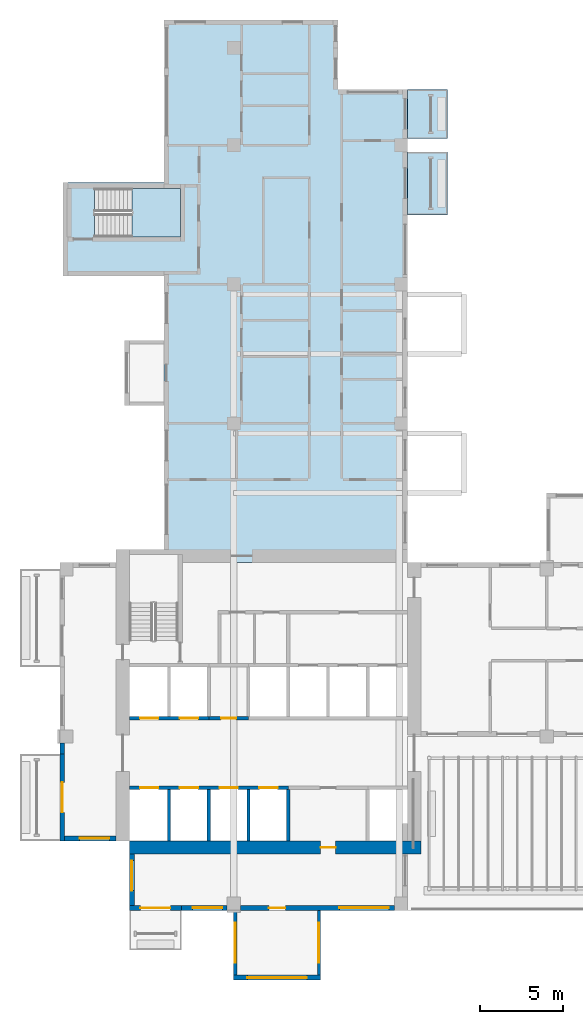
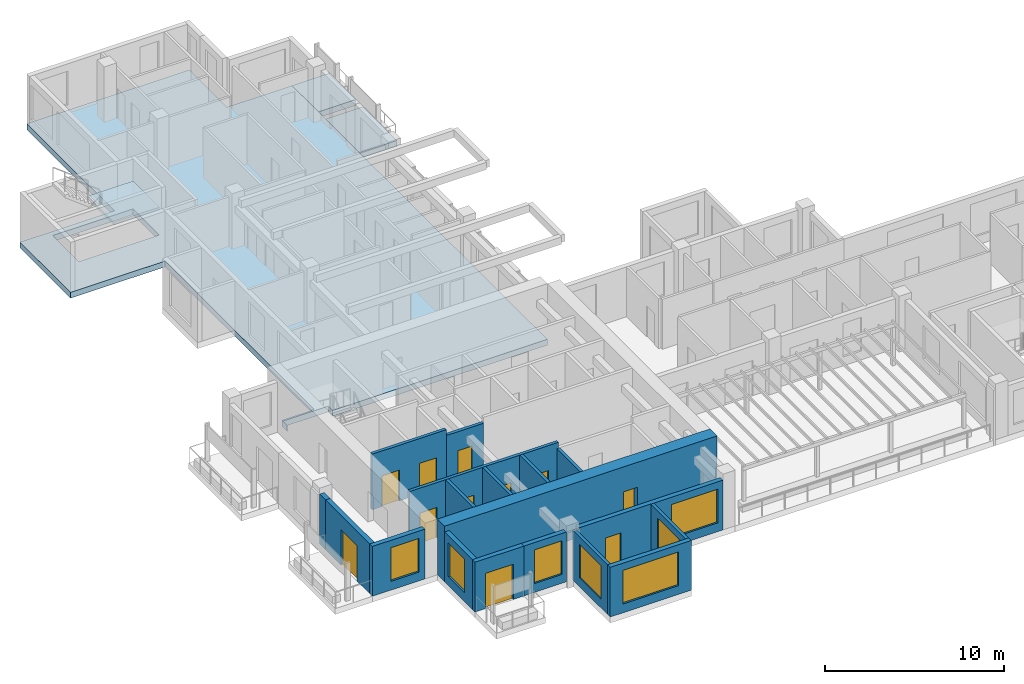
# One storey, part 3 of 13: 18 walls, 11 doors, 7 windows, 4 slabs, 18 openings, 1 element without a shape of its own.
"""IFC4 building model written with IfcOpenShell, lengths in metres."""

from ifc_helpers import new_model, si_unit, direction, frame, frame_2d, origin, place, context, subcontext, project, spatial, polyline, rectangle, outline, extrude, source, transform, mapped, material, layer, layer_set, type_object, element, fill, aggregate, save


model = new_model("IFC4")

# Units and contexts
model_context = context("Model", 3, precision=1e-05, world=origin(), true_north=direction((0.0, 1.0)))
body_context = subcontext(model_context, "Body", "Model", "MODEL_VIEW")
ifc_project = project(units=[si_unit("LENGTHUNIT", "METRE"), si_unit("AREAUNIT", "SQUARE_METRE"), si_unit("VOLUMEUNIT", "CUBIC_METRE"), si_unit("PLANEANGLEUNIT", "RADIAN"), si_unit("MASSUNIT", "GRAM", prefix="KILO")], contexts=[model_context])

# Site, building, storey
site_placement = place(None, origin())
site = spatial("IfcSite", under=ifc_project, at=site_placement, CompositionType="ELEMENT")
building_placement = place(site_placement, origin())
building = spatial("IfcBuilding", under=site, at=building_placement, Name="Aurelian Terraces", CompositionType="ELEMENT")
storey_placement = place(building_placement, frame((0.0, 0.0, 253.8)))
storey = spatial("IfcBuildingStorey", under=building, at=storey_placement, Name="L58", CompositionType="ELEMENT", Elevation=253.8)

# Slabs
ifc_material_1 = material(Name="Concrete fc' 40 MPa", Category="concrete")
ifc_layer_1 = layer(ifc_material_1, 0.4)
ifc_layer_set_1 = layer_set([ifc_layer_1], Name="PT FLAT PLATE 400")
slab_type_1 = type_object("IfcSlabType", Name="PT FLAT PLATE 400", PredefinedType="FLOOR", material=ifc_layer_set_1)
shared_shape_1 = source(origin(), body_context, "Body", "SweptSolid", [
    extrude(outline(polyline([(0.2, 43.95), (6.3, 43.95), (6.3, 49.56), (6.3, 53.76), (10.5, 53.76), (16.8, 53.76), (16.8, 49.56), (21.0, 49.56), (21.0, 21.0), (7.14, 21.0), (7.14, 21.49), (4.21, 21.49), (4.21, 21.0), (4.2, 21.0), (4.2, 21.6), (6.3, 21.6), (6.3, 38.3), (0.2, 38.3), (0.2, 43.95)]), holes=[polyline([(7.29, 43.59), (2.11, 43.59), (2.11, 40.66), (7.29, 40.66), (7.29, 43.59)])]), origin(), (0.0, 0.0, 1.0), 0.4),
])
slab_1_placement = place(storey_placement, frame((0.0, 0.0, -0.4)))
element("IfcSlab", 1, at=slab_1_placement, inside=storey, type_object=slab_type_1, Name="Floor slab W L58", PredefinedType="FLOOR", context=body_context, shape_type="MappedRepresentation", body=[
    mapped(shared_shape_1, transform((0.0, 0.0, 0.0), scale=1.0)),
])
ifc_layer_2 = layer(ifc_material_1, 0.4)
ifc_layer_set_2 = layer_set([ifc_layer_2], Name="Balcony slab 400")
slab_type_2 = type_object("IfcSlabType", Name="Balcony slab 400", PredefinedType="NOTDEFINED", material=ifc_layer_set_2)
shared_shape_2 = source(origin(), body_context, "Body", "SweptSolid", [
    extrude(outline(polyline([(21.0, 46.6), (21.0, 49.56), (23.4, 49.56), (23.4, 46.6), (21.0, 46.6)])), origin(), (0.0, 0.0, 1.0), 0.4),
])
slab_2_placement = place(storey_placement, frame((0.0, 0.0, -0.4)))
element("IfcSlab", 2, at=slab_2_placement, inside=storey, type_object=slab_type_2, Name="Balcony slab L58 F12.25", PredefinedType="NOTDEFINED", context=body_context, shape_type="MappedRepresentation", body=[
    mapped(shared_shape_2, transform((0.0, 0.0, 0.0), scale=1.0)),
])
shared_shape_3 = source(origin(), body_context, "Body", "SweptSolid", [
    extrude(outline(polyline([(21.0, 42.0), (21.0, 45.8), (23.4, 45.8), (23.4, 42.0), (21.0, 42.0)])), origin(), (0.0, 0.0, 1.0), 0.4),
])
slab_3_placement = place(storey_placement, frame((0.0, 0.0, -0.4)))
element("IfcSlab", 3, at=slab_3_placement, inside=storey, type_object=slab_type_2, Name="Balcony slab L58 F12.24", PredefinedType="NOTDEFINED", context=body_context, shape_type="MappedRepresentation", body=[
    mapped(shared_shape_3, transform((0.0, 0.0, 0.0), scale=1.0)),
])

# Stair, slab
stair_type = type_object("IfcStairType", Name="Stair 1400", PredefinedType="HALF_TURN_STAIR", material=ifc_material_1)
stair_placement = place(storey_placement, origin())
stair = element("IfcStair", 4, at=stair_placement, inside=storey, type_object=stair_type, Name="L58 S3", PredefinedType="HALF_TURN_STAIR")
ifc_layer_3 = layer(ifc_material_1, 0.2)
ifc_layer_set_3 = layer_set([ifc_layer_3], Name="Stair landing 200")
slab_type_3 = type_object("IfcSlabType", Name="Stair landing 200", PredefinedType="LANDING", material=ifc_layer_set_3)
shared_shape_4 = source(origin(), body_context, "Body", "SweptSolid", [
    extrude(outline(polyline([(4.35, 40.65), (7.3, 40.65), (7.3, 43.6), (4.35, 43.6), (4.35, 40.65)])), origin(), (0.0, 0.0, 1.0), 0.2),
])
slab_4_placement = place(storey_placement, frame((0.0, 0.0, 1.7)))
slab_4 = element("IfcSlab", 5, at=slab_4_placement, type_object=slab_type_3, Name="S3 landing 1", PredefinedType="LANDING", context=body_context, shape_type="MappedRepresentation", body=[
    mapped(shared_shape_4, transform((0.0, 0.0, 0.0), scale=1.0)),
])
aggregate(stair, [slab_4])

# Wall, opening, door
ifc_material_2 = material(Name="Concrete fc' 70 MPa", Category="concrete")
ifc_layer_4 = layer(ifc_material_2, 0.8)
ifc_layer_set_4 = layer_set([ifc_layer_4], Name="CORE WALL 800 FC70")
wall_type_1 = type_object("IfcWallType", Name="CORE WALL 800 FC70", PredefinedType="SHEAR", material=ifc_layer_set_4)
shared_shape_5 = source(origin(), body_context, "Body", "SweptSolid", [
    extrude(rectangle(XDim=17.6, YDim=0.8, at=frame_2d((8.8, 0.0))), origin(), (0.0, 0.0, 1.0), 3.8),
])
wall_1_placement = place(storey_placement, frame((4.2, 3.8, 0.0), z_axis=(0.0, 0.0, 1.0), x_axis=(1.0, 0.0, 0.0)))
wall_1 = element("IfcWall", 6, at=wall_1_placement, inside=storey, type_object=wall_type_1, Name="Core wall S L58", PredefinedType="SHEAR", context=body_context, shape_type="MappedRepresentation", body=[
    mapped(shared_shape_5, transform((0.0, 0.0, 0.0), scale=1.0)),
])
shared_shape_6 = source(origin(), body_context, "Body", "SweptSolid", [
    extrude(rectangle(XDim=0.9, YDim=2.1, at=frame_2d((0.45, 1.05))), frame((0.0, 0.41, 0.0), z_axis=(0.0, -1.0, 0.0), x_axis=(1.0, 0.0, 0.0)), (0.0, 0.0, 1.0), 0.82),
])
opening_1_placement = place(wall_1_placement, frame((11.55, 0.0, 0.0)))
opening_1 = element("IfcOpeningElement", 7, at=opening_1_placement, cuts=wall_1, Name="Opening 66125", PredefinedType="OPENING", context=body_context, shape_type="MappedRepresentation", body=[
    mapped(shared_shape_6, transform((0.0, 0.0, 0.0), scale=1.0)),
])
ifc_material_3 = material(Name="Steel door leaf", Category="steel")
door_type_1 = type_object("IfcDoorType", Name="Core service door 900x2100 right", OperationType="SINGLE_SWING_RIGHT", PredefinedType="DOOR", material=ifc_material_3)
shared_shape_7 = source(origin(), body_context, "Body", "SweptSolid", [
    extrude(rectangle(XDim=0.9, YDim=2.1, at=frame_2d((0.45, 1.05))), frame((0.0, 0.025, 0.0), z_axis=(0.0, -1.0, 0.0), x_axis=(1.0, 0.0, 0.0)), (0.0, 0.0, 1.0), 0.05),
])
door_1_placement = place(opening_1_placement, origin())
door_1 = element("IfcDoor", 8, at=door_1_placement, inside=storey, type_object=door_type_1, Name="Core door 66125", OperationType="SINGLE_SWING_RIGHT", OverallHeight=2.1, OverallWidth=0.9, PredefinedType="DOOR", context=body_context, shape_type="MappedRepresentation", body=[
    mapped(shared_shape_7, transform((0.0, 0.0, 0.0), scale=1.0)),
])
fill(opening_1, door_1)

# Wall, opening, window
ifc_material_4 = material(Name="Terracotta rainscreen cladding", Category="masonry")
ifc_layer_5 = layer(ifc_material_4, 0.3)
ifc_layer_set_5 = layer_set([ifc_layer_5], Name="EW-300")
wall_type_2 = type_object("IfcWallType", Name="EW-300", PredefinedType="STANDARD", material=ifc_layer_set_5)
shared_shape_8 = source(origin(), body_context, "Body", "SweptSolid", [
    extrude(rectangle(XDim=3.4, YDim=0.3, at=frame_2d((1.7, 0.0))), origin(), (0.0, 0.0, 1.0), 3.4),
])
wall_2_placement = place(storey_placement, frame((0.0, 4.35, 0.0), z_axis=(0.0, 0.0, 1.0), x_axis=(1.0, 0.0, 0.0)))
wall_2 = element("IfcWall", 9, at=wall_2_placement, inside=storey, type_object=wall_type_2, Name="External wall L58 F25.41", PredefinedType="STANDARD", context=body_context, shape_type="MappedRepresentation", body=[
    mapped(shared_shape_8, transform((0.0, 0.0, 0.0), scale=1.0)),
])
shared_shape_9 = source(origin(), body_context, "Body", "SweptSolid", [
    extrude(rectangle(XDim=1.8, YDim=2.3, at=frame_2d((0.9, 1.15))), frame((0.0, 0.16, 0.0), z_axis=(0.0, -1.0, 0.0), x_axis=(1.0, 0.0, 0.0)), (0.0, 0.0, 1.0), 0.32),
])
opening_2_placement = place(wall_2_placement, frame((1.2, 0.0, 0.6)))
opening_2 = element("IfcOpeningElement", 10, at=opening_2_placement, cuts=wall_2, Name="Opening W1823", PredefinedType="OPENING", context=body_context, shape_type="MappedRepresentation", body=[
    mapped(shared_shape_9, transform((0.0, 0.0, 0.0), scale=1.0)),
])
ifc_material_5 = material(Name="Clear glazing", Category="glass")
window_type_1 = type_object("IfcWindowType", Name="W-1800x2300", PartitioningType="SINGLE_PANEL", PredefinedType="WINDOW", material=ifc_material_5)
shared_shape_10 = source(origin(), body_context, "Body", "SweptSolid", [
    extrude(rectangle(XDim=1.8, YDim=2.3, at=frame_2d((0.9, 1.15))), frame((0.0, 0.03, 0.0), z_axis=(0.0, -1.0, 0.0), x_axis=(1.0, 0.0, 0.0)), (0.0, 0.0, 1.0), 0.06),
])
window_1_placement = place(opening_2_placement, origin())
window_1 = element("IfcWindow", 11, at=window_1_placement, inside=storey, type_object=window_type_1, Name="Window L58 L58-F25-41-0", OverallHeight=2.3, OverallWidth=1.8, PartitioningType="SINGLE_PANEL", PredefinedType="WINDOW", context=body_context, shape_type="MappedRepresentation", body=[
    mapped(shared_shape_10, transform((0.0, 0.0, 0.0), scale=1.0)),
])
fill(opening_2, window_1)

wall_3_placement = place(storey_placement, frame((4.35, 3.4, 0.0), z_axis=(0.0, 0.0, 1.0), x_axis=(0.0, -1.0, 0.0)))
wall_3 = element("IfcWall", 12, at=wall_3_placement, inside=storey, type_object=wall_type_2, Name="External wall L58 F26.42", PredefinedType="STANDARD", context=body_context, shape_type="MappedRepresentation", body=[
    mapped(shared_shape_8, transform((0.0, 0.0, 0.0), scale=1.0)),
])
opening_3_placement = place(wall_3_placement, frame((0.4, 0.0, 0.6)))
opening_3 = element("IfcOpeningElement", 13, at=opening_3_placement, cuts=wall_3, Name="Opening W1823", PredefinedType="OPENING", context=body_context, shape_type="MappedRepresentation", body=[
    mapped(shared_shape_9, transform((0.0, 0.0, 0.0), scale=1.0)),
])
window_2_placement = place(opening_3_placement, origin())
window_2 = element("IfcWindow", 14, at=window_2_placement, inside=storey, type_object=window_type_1, Name="Window L58 L58-F26-42-0", OverallHeight=2.3, OverallWidth=1.8, PartitioningType="SINGLE_PANEL", PredefinedType="WINDOW", context=body_context, shape_type="MappedRepresentation", body=[
    mapped(shared_shape_10, transform((0.0, 0.0, 0.0), scale=1.0)),
])
fill(opening_3, window_2)

ifc_layer_6 = layer(ifc_material_1, 0.2)
ifc_layer_set_6 = layer_set([ifc_layer_6], Name="BOX BEARING WALL 200")
wall_type_3 = type_object("IfcWallType", Name="BOX BEARING WALL 200", PredefinedType="SOLIDWALL", material=ifc_layer_set_6)
shared_shape_11 = source(origin(), body_context, "Body", "SweptSolid", [
    extrude(rectangle(XDim=3.9, YDim=0.2, at=frame_2d((1.95, 0.0))), origin(), (0.0, 0.0, 1.0), 3.39),
])
wall_4_placement = place(storey_placement, frame((10.6, 0.0, 0.0), z_axis=(0.0, 0.0, 1.0), x_axis=(0.0, -1.0, 0.0)))
wall_4 = element("IfcWall", 15, at=wall_4_placement, inside=storey, type_object=wall_type_3, Name="Box return L58 J83.1", PredefinedType="SOLIDWALL", context=body_context, shape_type="MappedRepresentation", body=[
    mapped(shared_shape_11, transform((0.0, 0.0, 0.0), scale=1.0)),
])
shared_shape_12 = source(origin(), body_context, "Body", "SweptSolid", [
    extrude(rectangle(XDim=2.4, YDim=2.3, at=frame_2d((1.2, 1.15))), frame((0.0, 0.11, 0.0), z_axis=(0.0, -1.0, 0.0), x_axis=(1.0, 0.0, 0.0)), (0.0, 0.0, 1.0), 0.22),
])
opening_4_placement = place(wall_4_placement, frame((0.75, 0.0, 0.6)))
opening_4 = element("IfcOpeningElement", 16, at=opening_4_placement, cuts=wall_4, Name="Opening W2423", PredefinedType="OPENING", context=body_context, shape_type="MappedRepresentation", body=[
    mapped(shared_shape_12, transform((0.0, 0.0, 0.0), scale=1.0)),
])
window_type_2 = type_object("IfcWindowType", Name="W-2400x2300", PartitioningType="SINGLE_PANEL", PredefinedType="WINDOW", material=ifc_material_5)
shared_shape_13 = source(origin(), body_context, "Body", "SweptSolid", [
    extrude(rectangle(XDim=2.4, YDim=2.3, at=frame_2d((1.2, 1.15))), frame((0.0, 0.03, 0.0), z_axis=(0.0, -1.0, 0.0), x_axis=(1.0, 0.0, 0.0)), (0.0, 0.0, 1.0), 0.06),
])
window_3_placement = place(opening_4_placement, origin())
window_3 = element("IfcWindow", 17, at=window_3_placement, inside=storey, type_object=window_type_2, Name="Window L58 J83-S1", OverallHeight=2.3, OverallWidth=2.4, PartitioningType="SINGLE_PANEL", PredefinedType="WINDOW", context=body_context, shape_type="MappedRepresentation", body=[
    mapped(shared_shape_13, transform((0.0, 0.0, 0.0), scale=1.0)),
])
fill(opening_4, window_3)

wall_5_placement = place(storey_placement, frame((15.65, 0.0, 0.0), z_axis=(0.0, 0.0, 1.0), x_axis=(0.0, -1.0, 0.0)))
wall_5 = element("IfcWall", 18, at=wall_5_placement, inside=storey, type_object=wall_type_3, Name="Box return L58 J83.2", PredefinedType="SOLIDWALL", context=body_context, shape_type="MappedRepresentation", body=[
    mapped(shared_shape_11, transform((0.0, 0.0, 0.0), scale=1.0)),
])
opening_5_placement = place(wall_5_placement, frame((0.75, 0.0, 0.6)))
opening_5 = element("IfcOpeningElement", 19, at=opening_5_placement, cuts=wall_5, Name="Opening W2423", PredefinedType="OPENING", context=body_context, shape_type="MappedRepresentation", body=[
    mapped(shared_shape_12, transform((0.0, 0.0, 0.0), scale=1.0)),
])
window_4_placement = place(opening_5_placement, origin())
window_4 = element("IfcWindow", 20, at=window_4_placement, inside=storey, type_object=window_type_2, Name="Window L58 J83-S2", OverallHeight=2.3, OverallWidth=2.4, PartitioningType="SINGLE_PANEL", PredefinedType="WINDOW", context=body_context, shape_type="MappedRepresentation", body=[
    mapped(shared_shape_13, transform((0.0, 0.0, 0.0), scale=1.0)),
])
fill(opening_5, window_4)

# Wall, opening, door
shared_shape_14 = source(origin(), body_context, "Body", "SweptSolid", [
    extrude(rectangle(XDim=3.15, YDim=0.3, at=frame_2d((1.575, 0.0))), origin(), (0.0, 0.0, 1.0), 3.4),
])
wall_6_placement = place(storey_placement, frame((4.2, 0.15, 0.0), z_axis=(0.0, 0.0, 1.0), x_axis=(1.0, 0.0, 0.0)))
wall_6 = element("IfcWall", 21, at=wall_6_placement, inside=storey, type_object=wall_type_2, Name="External wall L58 F01.1", PredefinedType="STANDARD", context=body_context, shape_type="MappedRepresentation", body=[
    mapped(shared_shape_14, transform((0.0, 0.0, 0.0), scale=1.0)),
])
shared_shape_15 = source(origin(), body_context, "Body", "SweptSolid", [
    extrude(rectangle(XDim=1.8, YDim=2.4, at=frame_2d((0.9, 1.2))), frame((0.0, 0.16, 0.0), z_axis=(0.0, -1.0, 0.0), x_axis=(1.0, 0.0, 0.0)), (0.0, 0.0, 1.0), 0.32),
])
opening_6_placement = place(wall_6_placement, frame((0.675, 0.0, 0.0)))
opening_6 = element("IfcOpeningElement", 22, at=opening_6_placement, cuts=wall_6, Name="Opening 85801", PredefinedType="OPENING", context=body_context, shape_type="MappedRepresentation", body=[
    mapped(shared_shape_15, transform((0.0, 0.0, 0.0), scale=1.0)),
])
door_type_2 = type_object("IfcDoorType", Name="BD-1800x2400", OperationType="SLIDING_TO_LEFT", PredefinedType="DOOR", material=ifc_material_5)
shared_shape_16 = source(origin(), body_context, "Body", "SweptSolid", [
    extrude(rectangle(XDim=1.8, YDim=2.4, at=frame_2d((0.9, 1.2))), frame((0.0, 0.025, 0.0), z_axis=(0.0, -1.0, 0.0), x_axis=(1.0, 0.0, 0.0)), (0.0, 0.0, 1.0), 0.05),
])
door_2_placement = place(opening_6_placement, origin())
door_2 = element("IfcDoor", 23, at=door_2_placement, inside=storey, type_object=door_type_2, Name="Balcony door L58 F01.1", OperationType="SLIDING_TO_LEFT", OverallHeight=2.4, OverallWidth=1.8, PredefinedType="DOOR", context=body_context, shape_type="MappedRepresentation", body=[
    mapped(shared_shape_16, transform((0.0, 0.0, 0.0), scale=1.0)),
])
fill(opening_6, door_2)

# Wall, opening, window
ifc_layer_7 = layer(ifc_material_1, 0.3)
ifc_layer_set_7 = layer_set([ifc_layer_7], Name="BOX BEARING WALL 300")
wall_type_4 = type_object("IfcWallType", Name="BOX BEARING WALL 300", PredefinedType="SOLIDWALL", material=ifc_layer_set_7)
shared_shape_17 = source(origin(), body_context, "Body", "SweptSolid", [
    extrude(rectangle(XDim=5.25, YDim=0.3, at=frame_2d((2.625, 0.0))), origin(), (0.0, 0.0, 1.0), 3.39),
])
wall_7_placement = place(storey_placement, frame((10.5, -4.05, 0.0), z_axis=(0.0, 0.0, 1.0), x_axis=(1.0, 0.0, 0.0)))
wall_7 = element("IfcWall", 24, at=wall_7_placement, inside=storey, type_object=wall_type_4, Name="Box wall L58 J83", PredefinedType="SOLIDWALL", context=body_context, shape_type="MappedRepresentation", body=[
    mapped(shared_shape_17, transform((0.0, 0.0, 0.0), scale=1.0)),
])
shared_shape_18 = source(origin(), body_context, "Body", "SweptSolid", [
    extrude(rectangle(XDim=3.6, YDim=2.3, at=frame_2d((1.8, 1.15))), frame((0.0, 0.16, 0.0), z_axis=(0.0, -1.0, 0.0), x_axis=(1.0, 0.0, 0.0)), (0.0, 0.0, 1.0), 0.32),
])
opening_7_placement = place(wall_7_placement, frame((0.825, 0.0, 0.6)))
opening_7 = element("IfcOpeningElement", 25, at=opening_7_placement, cuts=wall_7, Name="Opening W3623", PredefinedType="OPENING", context=body_context, shape_type="MappedRepresentation", body=[
    mapped(shared_shape_18, transform((0.0, 0.0, 0.0), scale=1.0)),
])
window_type_3 = type_object("IfcWindowType", Name="W-3600x2300", PartitioningType="SINGLE_PANEL", PredefinedType="WINDOW", material=ifc_material_5)
shared_shape_19 = source(origin(), body_context, "Body", "SweptSolid", [
    extrude(rectangle(XDim=3.6, YDim=2.3, at=frame_2d((1.8, 1.15))), frame((0.0, 0.03, 0.0), z_axis=(0.0, -1.0, 0.0), x_axis=(1.0, 0.0, 0.0)), (0.0, 0.0, 1.0), 0.06),
])
window_5_placement = place(opening_7_placement, origin())
window_5 = element("IfcWindow", 26, at=window_5_placement, inside=storey, type_object=window_type_3, Name="Window L58 J83-F1", OverallHeight=2.3, OverallWidth=3.6, PartitioningType="SINGLE_PANEL", PredefinedType="WINDOW", context=body_context, shape_type="MappedRepresentation", body=[
    mapped(shared_shape_19, transform((0.0, 0.0, 0.0), scale=1.0)),
])
fill(opening_7, window_5)

# Wall, opening, door
shared_shape_20 = source(origin(), body_context, "Body", "SweptSolid", [
    extrude(rectangle(XDim=5.25, YDim=0.3, at=frame_2d((2.625, 0.0))), origin(), (0.0, 0.0, 1.0), 3.4),
])
wall_8_placement = place(storey_placement, frame((0.15, 9.45, 0.0), z_axis=(0.0, 0.0, 1.0), x_axis=(0.0, -1.0, 0.0)))
wall_8 = element("IfcWall", 27, at=wall_8_placement, inside=storey, type_object=wall_type_2, Name="External wall L58 F24.40", PredefinedType="STANDARD", context=body_context, shape_type="MappedRepresentation", body=[
    mapped(shared_shape_20, transform((0.0, 0.0, 0.0), scale=1.0)),
])
opening_8_placement = place(wall_8_placement, frame((1.725, 0.0, 0.0)))
opening_8 = element("IfcOpeningElement", 28, at=opening_8_placement, cuts=wall_8, Name="Opening 85810", PredefinedType="OPENING", context=body_context, shape_type="MappedRepresentation", body=[
    mapped(shared_shape_15, transform((0.0, 0.0, 0.0), scale=1.0)),
])
door_3_placement = place(opening_8_placement, origin())
door_3 = element("IfcDoor", 29, at=door_3_placement, inside=storey, type_object=door_type_2, Name="Balcony door L58 F24.40", OperationType="SLIDING_TO_LEFT", OverallHeight=2.4, OverallWidth=1.8, PredefinedType="DOOR", context=body_context, shape_type="MappedRepresentation", body=[
    mapped(shared_shape_16, transform((0.0, 0.0, 0.0), scale=1.0)),
])
fill(opening_8, door_3)

# Wall, openings, window, door
shared_shape_21 = source(origin(), body_context, "Body", "SweptSolid", [
    extrude(rectangle(XDim=9.3, YDim=0.3, at=frame_2d((4.65, 0.0))), origin(), (0.0, 0.0, 1.0), 3.4),
])
wall_9_placement = place(storey_placement, frame((10.9, 0.15, 0.0), z_axis=(0.0, 0.0, 1.0), x_axis=(1.0, 0.0, 0.0)))
wall_9 = element("IfcWall", 30, at=wall_9_placement, inside=storey, type_object=wall_type_2, Name="External wall L58 F01.3", PredefinedType="STANDARD", context=body_context, shape_type="MappedRepresentation", body=[
    mapped(shared_shape_21, transform((0.0, 0.0, 0.0), scale=1.0)),
])
shared_shape_22 = source(origin(), body_context, "Body", "SweptSolid", [
    extrude(rectangle(XDim=3.0, YDim=2.3, at=frame_2d((1.5, 1.15))), frame((0.0, 0.16, 0.0), z_axis=(0.0, -1.0, 0.0), x_axis=(1.0, 0.0, 0.0)), (0.0, 0.0, 1.0), 0.32),
])
opening_9_placement = place(wall_9_placement, frame((5.975, 0.0, 0.6)))
opening_9 = element("IfcOpeningElement", 31, at=opening_9_placement, cuts=wall_9, Name="Opening W3023", PredefinedType="OPENING", context=body_context, shape_type="MappedRepresentation", body=[
    mapped(shared_shape_22, transform((0.0, 0.0, 0.0), scale=1.0)),
])
shared_shape_23 = source(origin(), body_context, "Body", "SweptSolid", [
    extrude(rectangle(XDim=1.0, YDim=2.1, at=frame_2d((0.5, 1.05))), frame((0.0, 0.16, 0.0), z_axis=(0.0, -1.0, 0.0), x_axis=(1.0, 0.0, 0.0)), (0.0, 0.0, 1.0), 0.32),
])
opening_10_placement = place(wall_9_placement, frame((1.725, 0.0, 0.0)))
opening_10 = element("IfcOpeningElement", 32, at=opening_10_placement, cuts=wall_9, Name="Opening 858001", PredefinedType="OPENING", context=body_context, shape_type="MappedRepresentation", body=[
    mapped(shared_shape_23, transform((0.0, 0.0, 0.0), scale=1.0)),
])
window_type_4 = type_object("IfcWindowType", Name="W-3000x2300", PartitioningType="SINGLE_PANEL", PredefinedType="WINDOW", material=ifc_material_5)
shared_shape_24 = source(origin(), body_context, "Body", "SweptSolid", [
    extrude(rectangle(XDim=3.0, YDim=2.3, at=frame_2d((1.5, 1.15))), frame((0.0, 0.03, 0.0), z_axis=(0.0, -1.0, 0.0), x_axis=(1.0, 0.0, 0.0)), (0.0, 0.0, 1.0), 0.06),
])
window_6_placement = place(opening_9_placement, origin())
window_6 = element("IfcWindow", 33, at=window_6_placement, inside=storey, type_object=window_type_4, Name="Window L58 L58-F01-03-1", OverallHeight=2.3, OverallWidth=3.0, PartitioningType="SINGLE_PANEL", PredefinedType="WINDOW", context=body_context, shape_type="MappedRepresentation", body=[
    mapped(shared_shape_24, transform((0.0, 0.0, 0.0), scale=1.0)),
])
fill(opening_9, window_6)
ifc_material_6 = material(Name="Timber door leaf", Category="wood")
door_type_3 = type_object("IfcDoorType", Name="Room door 1000x2100 left", OperationType="SINGLE_SWING_LEFT", PredefinedType="DOOR", material=ifc_material_6)
shared_shape_25 = source(origin(), body_context, "Body", "SweptSolid", [
    extrude(rectangle(XDim=1.0, YDim=2.1, at=frame_2d((0.5, 1.05))), frame((0.0, 0.025, 0.0), z_axis=(0.0, -1.0, 0.0), x_axis=(1.0, 0.0, 0.0)), (0.0, 0.0, 1.0), 0.05),
])
door_4_placement = place(opening_10_placement, origin())
door_4 = element("IfcDoor", 34, at=door_4_placement, inside=storey, type_object=door_type_3, Name="Door 858001", OperationType="SINGLE_SWING_LEFT", OverallHeight=2.1, OverallWidth=1.0, PredefinedType="DOOR", context=body_context, shape_type="MappedRepresentation", body=[
    mapped(shared_shape_25, transform((0.0, 0.0, 0.0), scale=1.0)),
])
fill(opening_10, door_4)

# Wall, opening, window
shared_shape_26 = source(origin(), body_context, "Body", "SweptSolid", [
    extrude(rectangle(XDim=2.75, YDim=0.3, at=frame_2d((1.375, 0.0))), origin(), (0.0, 0.0, 1.0), 3.4),
])
wall_10_placement = place(storey_placement, frame((7.35, 0.15, 0.0), z_axis=(0.0, 0.0, 1.0), x_axis=(1.0, 0.0, 0.0)))
wall_10 = element("IfcWall", 35, at=wall_10_placement, inside=storey, type_object=wall_type_2, Name="External wall L58 F01.2", PredefinedType="STANDARD", context=body_context, shape_type="MappedRepresentation", body=[
    mapped(shared_shape_26, transform((0.0, 0.0, 0.0), scale=1.0)),
])
opening_11_placement = place(wall_10_placement, frame((0.675, 0.0, 0.6)))
opening_11 = element("IfcOpeningElement", 36, at=opening_11_placement, cuts=wall_10, Name="Opening W1823", PredefinedType="OPENING", context=body_context, shape_type="MappedRepresentation", body=[
    mapped(shared_shape_9, transform((0.0, 0.0, 0.0), scale=1.0)),
])
window_7_placement = place(opening_11_placement, origin())
window_7 = element("IfcWindow", 37, at=window_7_placement, inside=storey, type_object=window_type_1, Name="Window L58 L58-F01-02-0", OverallHeight=2.3, OverallWidth=1.8, PartitioningType="SINGLE_PANEL", PredefinedType="WINDOW", context=body_context, shape_type="MappedRepresentation", body=[
    mapped(shared_shape_10, transform((0.0, 0.0, 0.0), scale=1.0)),
])
fill(opening_11, window_7)

# Walls
shared_shape_27 = source(origin(), body_context, "Body", "SweptSolid", [
    extrude(rectangle(XDim=0.65, YDim=0.3, at=frame_2d((0.325, 0.0))), origin(), (0.0, 0.0, 1.0), 3.4),
])
wall_11_placement = place(storey_placement, frame((0.15, 10.1, 0.0), z_axis=(0.0, 0.0, 1.0), x_axis=(0.0, -1.0, 0.0)))
element("IfcWall", 38, at=wall_11_placement, inside=storey, type_object=wall_type_2, Name="External wall L58 F24.39", PredefinedType="STANDARD", context=body_context, shape_type="MappedRepresentation", body=[
    mapped(shared_shape_27, transform((0.0, 0.0, 0.0), scale=1.0)),
])
ifc_layer_8 = layer(ifc_material_1, 0.2)
ifc_layer_set_8 = layer_set([ifc_layer_8], Name="Lift shaft wall 200")
wall_type_5 = type_object("IfcWallType", Name="Lift shaft wall 200", PredefinedType="SOLIDWALL", material=ifc_layer_set_8)
shared_shape_28 = source(origin(), body_context, "Body", "SweptSolid", [
    extrude(rectangle(XDim=3.1, YDim=0.2, at=frame_2d((1.55, 0.0))), origin(), (0.0, 0.0, 1.0), 3.8),
])
for number, where, z_axis, x_axis, name in (
    (39, (6.6, 4.2, 0.0), (0.0, 0.0, 1.0), (0.0, 1.0, 0.0), "L58 core wall CD-A1"),
    (40, (9.0, 4.2, 0.0), (0.0, 0.0, 1.0), (0.0, 1.0, 0.0), "L58 core wall CD-A2"),
    (41, (11.4, 4.2, 0.0), (0.0, 0.0, 1.0), (0.0, 1.0, 0.0), "L58 core wall CD-A3"),
):
    element("IfcWall", number, at=place(storey_placement, frame(where, z_axis=z_axis, x_axis=x_axis)), inside=storey, type_object=wall_type_5, Name=name, PredefinedType="SOLIDWALL", context=body_context, shape_type="MappedRepresentation", body=[
        mapped(shared_shape_28, transform((0.0, 0.0, 0.0), scale=1.0)),
    ])
shared_shape_29 = source(origin(), body_context, "Body", "SweptSolid", [
    extrude(rectangle(XDim=3.1, YDim=0.2, at=frame_2d((1.55, 0.0))), origin(), (0.0, 0.0, 1.0), 3.4),
])
wall_12_placement = place(storey_placement, frame((13.8, 4.2, 0.0), z_axis=(0.0, 0.0, 1.0), x_axis=(0.0, 1.0, 0.0)))
element("IfcWall", 42, at=wall_12_placement, inside=storey, type_object=wall_type_5, Name="L58 core wall CD-A4", PredefinedType="SOLIDWALL", context=body_context, shape_type="MappedRepresentation", body=[
    mapped(shared_shape_29, transform((0.0, 0.0, 0.0), scale=1.0)),
])

# Wall, openings, doors
shared_shape_30 = source(origin(), body_context, "Body", "SweptSolid", [
    extrude(rectangle(XDim=9.6, YDim=0.2, at=frame_2d((4.8, 0.0))), origin(), (0.0, 0.0, 1.0), 3.8),
])
wall_13_placement = place(storey_placement, frame((4.2, 7.4, 0.0), z_axis=(0.0, 0.0, 1.0), x_axis=(1.0, 0.0, 0.0)))
wall_13 = element("IfcWall", 43, at=wall_13_placement, inside=storey, type_object=wall_type_5, Name="L58 core wall CF-AF1", PredefinedType="SOLIDWALL", context=body_context, shape_type="MappedRepresentation", body=[
    mapped(shared_shape_30, transform((0.0, 0.0, 0.0), scale=1.0)),
])
shared_shape_31 = source(origin(), body_context, "Body", "SweptSolid", [
    extrude(rectangle(XDim=1.1, YDim=2.1, at=frame_2d((0.55, 1.05))), frame((0.0, 0.11, 0.0), z_axis=(0.0, -1.0, 0.0), x_axis=(1.0, 0.0, 0.0)), (0.0, 0.0, 1.0), 0.22),
])
opening_12_placement = place(wall_13_placement, frame((0.65, 0.0, 0.0)))
opening_12 = element("IfcOpeningElement", 44, at=opening_12_placement, cuts=wall_13, Name="Opening 66100", PredefinedType="OPENING", context=body_context, shape_type="MappedRepresentation", body=[
    mapped(shared_shape_31, transform((0.0, 0.0, 0.0), scale=1.0)),
])
opening_13_placement = place(wall_13_placement, frame((3.05, 0.0, 0.0)))
opening_13 = element("IfcOpeningElement", 45, at=opening_13_placement, cuts=wall_13, Name="Opening 66101", PredefinedType="OPENING", context=body_context, shape_type="MappedRepresentation", body=[
    mapped(shared_shape_31, transform((0.0, 0.0, 0.0), scale=1.0)),
])
opening_14_placement = place(wall_13_placement, frame((5.45, 0.0, 0.0)))
opening_14 = element("IfcOpeningElement", 46, at=opening_14_placement, cuts=wall_13, Name="Opening 66102", PredefinedType="OPENING", context=body_context, shape_type="MappedRepresentation", body=[
    mapped(shared_shape_31, transform((0.0, 0.0, 0.0), scale=1.0)),
])
opening_15_placement = place(wall_13_placement, frame((7.85, 0.0, 0.0)))
opening_15 = element("IfcOpeningElement", 47, at=opening_15_placement, cuts=wall_13, Name="Opening 66103", PredefinedType="OPENING", context=body_context, shape_type="MappedRepresentation", body=[
    mapped(shared_shape_31, transform((0.0, 0.0, 0.0), scale=1.0)),
])
ifc_material_7 = material(Name="Stainless steel", Category="steel")
door_type_4 = type_object("IfcDoorType", Name="Lift landing door 1100x2100", OperationType="SLIDING_TO_LEFT", PredefinedType="DOOR", material=ifc_material_7)
shared_shape_32 = source(origin(), body_context, "Body", "SweptSolid", [
    extrude(rectangle(XDim=1.1, YDim=2.1, at=frame_2d((0.55, 1.05))), frame((0.0, 0.025, 0.0), z_axis=(0.0, -1.0, 0.0), x_axis=(1.0, 0.0, 0.0)), (0.0, 0.0, 1.0), 0.05),
])
door_5_placement = place(opening_12_placement, origin())
door_5 = element("IfcDoor", 48, at=door_5_placement, inside=storey, type_object=door_type_4, Name="Lift landing door LM1 L58", OperationType="SLIDING_TO_LEFT", OverallHeight=2.1, OverallWidth=1.1, PredefinedType="DOOR", context=body_context, shape_type="MappedRepresentation", body=[
    mapped(shared_shape_32, transform((0.0, 0.0, 0.0), scale=1.0)),
])
fill(opening_12, door_5)
door_6_placement = place(opening_13_placement, origin())
door_6 = element("IfcDoor", 49, at=door_6_placement, inside=storey, type_object=door_type_4, Name="Lift landing door LM2 L58", OperationType="SLIDING_TO_LEFT", OverallHeight=2.1, OverallWidth=1.1, PredefinedType="DOOR", context=body_context, shape_type="MappedRepresentation", body=[
    mapped(shared_shape_32, transform((0.0, 0.0, 0.0), scale=1.0)),
])
fill(opening_13, door_6)
door_7_placement = place(opening_14_placement, origin())
door_7 = element("IfcDoor", 50, at=door_7_placement, inside=storey, type_object=door_type_4, Name="Lift landing door LM3 L58", OperationType="SLIDING_TO_LEFT", OverallHeight=2.1, OverallWidth=1.1, PredefinedType="DOOR", context=body_context, shape_type="MappedRepresentation", body=[
    mapped(shared_shape_32, transform((0.0, 0.0, 0.0), scale=1.0)),
])
fill(opening_14, door_7)
door_8_placement = place(opening_15_placement, origin())
door_8 = element("IfcDoor", 51, at=door_8_placement, inside=storey, type_object=door_type_4, Name="Lift landing door LM4 L58", OperationType="SLIDING_TO_LEFT", OverallHeight=2.1, OverallWidth=1.1, PredefinedType="DOOR", context=body_context, shape_type="MappedRepresentation", body=[
    mapped(shared_shape_32, transform((0.0, 0.0, 0.0), scale=1.0)),
])
fill(opening_15, door_8)

shared_shape_33 = source(origin(), body_context, "Body", "SweptSolid", [
    extrude(rectangle(XDim=4.8, YDim=0.2, at=frame_2d((2.4, 0.0))), origin(), (0.0, 0.0, 1.0), 3.8),
])
wall_14_placement = place(storey_placement, frame((4.2, 11.6, 0.0), z_axis=(0.0, 0.0, 1.0), x_axis=(1.0, 0.0, 0.0)))
wall_14 = element("IfcWall", 52, at=wall_14_placement, inside=storey, type_object=wall_type_5, Name="L58 core wall CF-BF1", PredefinedType="SOLIDWALL", context=body_context, shape_type="MappedRepresentation", body=[
    mapped(shared_shape_33, transform((0.0, 0.0, 0.0), scale=1.0)),
])
opening_16_placement = place(wall_14_placement, frame((0.65, 0.0, 0.0)))
opening_16 = element("IfcOpeningElement", 53, at=opening_16_placement, cuts=wall_14, Name="Opening 66105", PredefinedType="OPENING", context=body_context, shape_type="MappedRepresentation", body=[
    mapped(shared_shape_31, transform((0.0, 0.0, 0.0), scale=1.0)),
])
opening_17_placement = place(wall_14_placement, frame((3.05, 0.0, 0.0)))
opening_17 = element("IfcOpeningElement", 54, at=opening_17_placement, cuts=wall_14, Name="Opening 66106", PredefinedType="OPENING", context=body_context, shape_type="MappedRepresentation", body=[
    mapped(shared_shape_31, transform((0.0, 0.0, 0.0), scale=1.0)),
])
door_9_placement = place(opening_16_placement, origin())
door_9 = element("IfcDoor", 55, at=door_9_placement, inside=storey, type_object=door_type_4, Name="Lift landing door LM5 L58", OperationType="SLIDING_TO_LEFT", OverallHeight=2.1, OverallWidth=1.1, PredefinedType="DOOR", context=body_context, shape_type="MappedRepresentation", body=[
    mapped(shared_shape_32, transform((0.0, 0.0, 0.0), scale=1.0)),
])
fill(opening_16, door_9)
door_10_placement = place(opening_17_placement, origin())
door_10 = element("IfcDoor", 56, at=door_10_placement, inside=storey, type_object=door_type_4, Name="Lift landing door LM6 L58", OperationType="SLIDING_TO_LEFT", OverallHeight=2.1, OverallWidth=1.1, PredefinedType="DOOR", context=body_context, shape_type="MappedRepresentation", body=[
    mapped(shared_shape_32, transform((0.0, 0.0, 0.0), scale=1.0)),
])
fill(opening_17, door_10)

# Wall, opening, door
shared_shape_34 = source(origin(), body_context, "Body", "SweptSolid", [
    extrude(rectangle(XDim=2.4, YDim=0.2, at=frame_2d((1.2, 0.0))), origin(), (0.0, 0.0, 1.0), 3.4),
])
wall_15_placement = place(storey_placement, frame((9.0, 11.6, 0.0), z_axis=(0.0, 0.0, 1.0), x_axis=(1.0, 0.0, 0.0)))
wall_15 = element("IfcWall", 57, at=wall_15_placement, inside=storey, type_object=wall_type_5, Name="L58 core wall CF-BF2", PredefinedType="SOLIDWALL", context=body_context, shape_type="MappedRepresentation", body=[
    mapped(shared_shape_34, transform((0.0, 0.0, 0.0), scale=1.0)),
])
shared_shape_35 = source(origin(), body_context, "Body", "SweptSolid", [
    extrude(rectangle(XDim=0.9, YDim=2.1, at=frame_2d((0.45, 1.05))), frame((0.0, 0.11, 0.0), z_axis=(0.0, -1.0, 0.0), x_axis=(1.0, 0.0, 0.0)), (0.0, 0.0, 1.0), 0.22),
])
opening_18_placement = place(wall_15_placement, frame((0.75, 0.0, 0.0)))
opening_18 = element("IfcOpeningElement", 58, at=opening_18_placement, cuts=wall_15, Name="Opening 66107", PredefinedType="OPENING", context=body_context, shape_type="MappedRepresentation", body=[
    mapped(shared_shape_35, transform((0.0, 0.0, 0.0), scale=1.0)),
])
door_type_5 = type_object("IfcDoorType", Name="Core service door 900x2100", OperationType="SINGLE_SWING_LEFT", PredefinedType="DOOR", material=ifc_material_3)
door_11_placement = place(opening_18_placement, origin())
door_11 = element("IfcDoor", 59, at=door_11_placement, inside=storey, type_object=door_type_5, Name="Room door 66107", OperationType="SINGLE_SWING_LEFT", OverallHeight=2.1, OverallWidth=0.9, PredefinedType="DOOR", context=body_context, shape_type="MappedRepresentation", body=[
    mapped(shared_shape_7, transform((0.0, 0.0, 0.0), scale=1.0)),
])
fill(opening_18, door_11)

save(model, "model.ifc")
